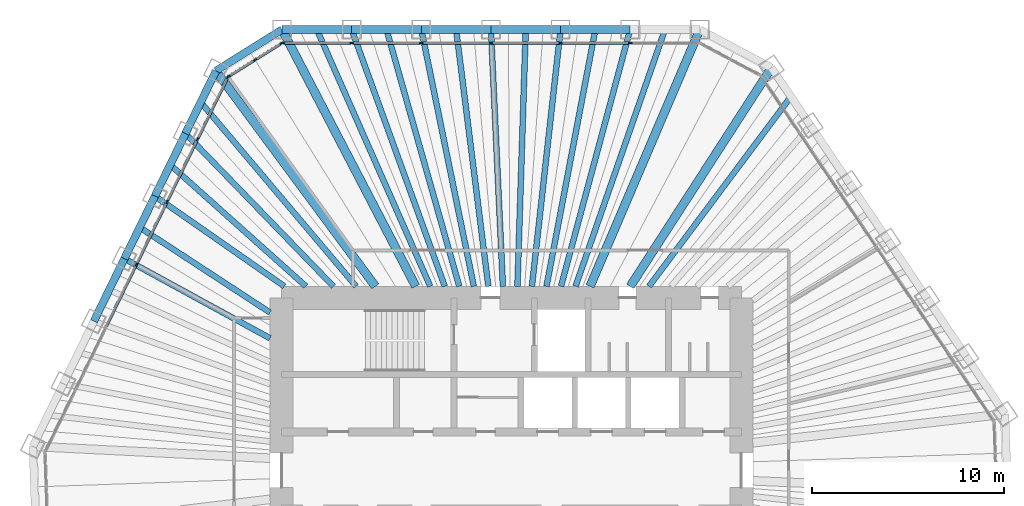
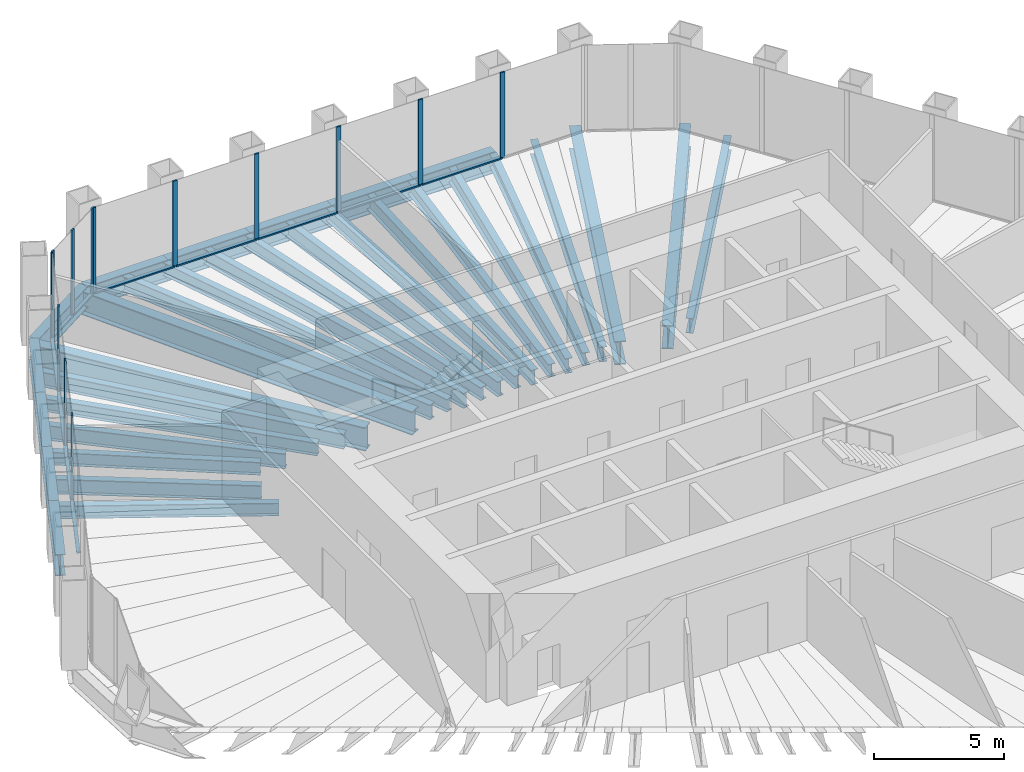
# One storey, part 6 of 13: 32 beams, 24 members, 3 elements without a shape of their own.
"""IFC4 building model written with IfcOpenShell, lengths in metres."""

from ifc_helpers import new_model, si_unit, direction, frame, origin, origin_2d, place, context, subcontext, project, spatial, rectangle, i_section, extrude, material, material_profile, profile_set, type_object, element, aggregate, save


model = new_model("IFC4")

# Units and contexts
model_context = context("Model", 3, precision=1e-05, world=origin(), true_north=direction((0.0, 1.0)))
body_context = subcontext(model_context, "Body", "Model", "MODEL_VIEW")
ifc_project = project(units=[si_unit("LENGTHUNIT", "METRE"), si_unit("AREAUNIT", "SQUARE_METRE"), si_unit("VOLUMEUNIT", "CUBIC_METRE"), si_unit("PLANEANGLEUNIT", "RADIAN"), si_unit("MASSUNIT", "GRAM", prefix="KILO")], contexts=[model_context])

# Site, building, storey
site_placement = place(None, origin())
site = spatial("IfcSite", under=ifc_project, at=site_placement, CompositionType="ELEMENT")
building_placement = place(site_placement, origin())
building = spatial("IfcBuilding", under=site, at=building_placement, Name="Qingtian Harvest Tower", CompositionType="ELEMENT")
storey_placement = place(building_placement, frame((0.0, 0.0, 226.60009765625)))
storey = spatial("IfcBuildingStorey", under=building, at=storey_placement, Name="L49", CompositionType="ELEMENT", Elevation=226.60009765625)

# Beams
ifc_material_1 = material(Name="Steel SM570MC", Category="steel")
ifc_material_profile_1 = material_profile(ifc_material_1, i_section(OverallWidth=0.449951171875, OverallDepth=1.10009765625, WebThickness=0.02197265625, FlangeThickness=0.044921875, at=origin_2d()), Name="H1100x450x22x45")
ifc_profile_set_1 = profile_set([ifc_material_profile_1], Name="Steel SM570MC")
beam_type_1 = type_object("IfcBeamType", Name="Corner floor beam FB8 H1100x450x22x45", PredefinedType="BEAM", material=ifc_profile_set_1)
beam_1_placement = place(storey_placement, frame((-11.971923828125, 23.0, -0.72021484375), z_axis=(0.461712460868, -0.887029651973, 0.0), x_axis=(0.887029651973, 0.461712460868, 0.0)))
element("IfcBeam", 1, at=beam_1_placement, inside=storey, type_object=beam_type_1, Name="Floor beam FB8 N0", PredefinedType="BEAM", context=body_context, shape_type="SweptSolid", body=[
    extrude(i_section(OverallWidth=0.449951171875, OverallDepth=1.10009765625, WebThickness=0.02197265625, FlangeThickness=0.044921875, at=origin_2d()), origin(), (0.0, 0.0, 1.0), 15.1064453125),
])
beam_2_placement = place(storey_placement, frame((9.829345703125, 23.0, -0.72021484375), z_axis=(-0.392976835482, -0.91954837109, 0.0), x_axis=(0.91954837109, -0.392976835482, 0.0)))
element("IfcBeam", 2, at=beam_2_placement, inside=storey, type_object=beam_type_1, Name="Floor beam FB8 N6", PredefinedType="BEAM", context=body_context, shape_type="SweptSolid", body=[
    extrude(i_section(OverallWidth=0.449951171875, OverallDepth=1.10009765625, WebThickness=0.02197265625, FlangeThickness=0.044921875, at=origin_2d()), origin(), (0.0, 0.0, 1.0), 14.572265625),
])
beam_3_placement = place(storey_placement, frame((13.5712890625, 21.01025390625, -0.72021484375), z_axis=(-0.542593072822, -0.839995688873, 0.0), x_axis=(0.839995688873, -0.542593072822, 0.0)))
element("IfcBeam", 3, at=beam_3_placement, inside=storey, type_object=beam_type_1, Name="Floor beam FB8 NE0", PredefinedType="BEAM", context=body_context, shape_type="SweptSolid", body=[
    extrude(i_section(OverallWidth=0.449951171875, OverallDepth=1.10009765625, WebThickness=0.02197265625, FlangeThickness=0.044921875, at=origin_2d()), origin(), (0.0, 0.0, 1.0), 13.58349609375),
])
beam_4_placement = place(storey_placement, frame((-15.424072265625, 20.8427734375, -0.72021484375), z_axis=(0.594854284538, -0.803833552526, 0.0), x_axis=(0.803833552526, 0.594854284538, 0.0)))
element("IfcBeam", 4, at=beam_4_placement, inside=storey, type_object=beam_type_1, Name="Floor beam FB8 NW6", PredefinedType="BEAM", context=body_context, shape_type="SweptSolid", body=[
    extrude(i_section(OverallWidth=0.449951171875, OverallDepth=1.10009765625, WebThickness=0.02197265625, FlangeThickness=0.044921875, at=origin_2d()), origin(), (0.0, 0.0, 1.0), 13.986328125),
])
ifc_material_2 = material(Name="Steel SN490B", Category="steel")
ifc_material_profile_2 = material_profile(ifc_material_2, i_section(OverallWidth=0.300048828125, OverallDepth=0.60009765625, WebThickness=0.011962890625, FlangeThickness=0.02001953125, at=origin_2d()), Name="H600x300x12x20")
ifc_profile_set_2 = profile_set([ifc_material_profile_2], Name="Steel SN490B")
beam_type_2 = type_object("IfcBeamType", Name="Floor beam FB3 H600x300x12x20", PredefinedType="BEAM", material=ifc_profile_set_2)
beam_5_placement = place(storey_placement, frame((-8.33837890625, 23.0, -0.47021484375), z_axis=(0.340826952705, -0.94012604916, 0.0), x_axis=(0.94012604916, 0.340826952705, 0.0)))
element("IfcBeam", 5, at=beam_5_placement, inside=storey, type_object=beam_type_2, Name="Floor beam FB3 N1", PredefinedType="BEAM", context=body_context, shape_type="SweptSolid", body=[
    extrude(i_section(OverallWidth=0.300048828125, OverallDepth=0.60009765625, WebThickness=0.011962890625, FlangeThickness=0.02001953125, at=origin_2d()), origin(), (0.0, 0.0, 1.0), 14.25341796875),
])
beam_6_placement = place(storey_placement, frame((-4.704833984375, 23.0, -0.47021484375), z_axis=(0.200401687601, -0.979713817197, 0.0), x_axis=(0.979713817197, 0.200401687601, 0.0)))
element("IfcBeam", 6, at=beam_6_placement, inside=storey, type_object=beam_type_2, Name="Floor beam FB3 N2", PredefinedType="BEAM", context=body_context, shape_type="SweptSolid", body=[
    extrude(i_section(OverallWidth=0.300048828125, OverallDepth=0.60009765625, WebThickness=0.011962890625, FlangeThickness=0.02001953125, at=origin_2d()), origin(), (0.0, 0.0, 1.0), 13.67724609375),
])
beam_7_placement = place(storey_placement, frame((-1.0712890625, 23.0, -0.47021484375), z_axis=(0.04651883736, -0.998917412888, 0.0), x_axis=(0.998917412888, 0.04651883736, 0.0)))
element("IfcBeam", 7, at=beam_7_placement, inside=storey, type_object=beam_type_2, Name="Floor beam FB3 N3", PredefinedType="BEAM", context=body_context, shape_type="SweptSolid", body=[
    extrude(i_section(OverallWidth=0.300048828125, OverallDepth=0.60009765625, WebThickness=0.011962890625, FlangeThickness=0.02001953125, at=origin_2d()), origin(), (0.0, 0.0, 1.0), 13.414306640625),
])
beam_8_placement = place(storey_placement, frame((2.562255859375, 23.0, -0.47021484375), z_axis=(-0.110727645803, -0.993850787822, 0.0), x_axis=(0.993850787822, -0.110727645803, 0.0)))
element("IfcBeam", 8, at=beam_8_placement, inside=storey, type_object=beam_type_2, Name="Floor beam FB3 N4", PredefinedType="BEAM", context=body_context, shape_type="SweptSolid", body=[
    extrude(i_section(OverallWidth=0.300048828125, OverallDepth=0.60009765625, WebThickness=0.011962890625, FlangeThickness=0.02001953125, at=origin_2d()), origin(), (0.0, 0.0, 1.0), 13.48291015625),
])
beam_9_placement = place(storey_placement, frame((6.19580078125, 23.0, -0.47021484375), z_axis=(-0.260121100906, -0.965576000563, 0.0), x_axis=(0.965576000563, -0.260121100906, 0.0)))
element("IfcBeam", 9, at=beam_9_placement, inside=storey, type_object=beam_type_2, Name="Floor beam FB3 N5", PredefinedType="BEAM", context=body_context, shape_type="SweptSolid", body=[
    extrude(i_section(OverallWidth=0.300048828125, OverallDepth=0.60009765625, WebThickness=0.011962890625, FlangeThickness=0.02001953125, at=origin_2d()), origin(), (0.0, 0.0, 1.0), 13.877685546875),
])
beam_10_placement = place(storey_placement, frame((-20.20263671875, 11.04541015625, -0.47021484375), z_axis=(0.87742673539, -0.479710666988, 0.0), x_axis=(0.479710666988, 0.87742673539, 0.0)))
element("IfcBeam", 10, at=beam_10_placement, inside=storey, type_object=beam_type_2, Name="Floor beam FB3 NW3", PredefinedType="BEAM", context=body_context, shape_type="SweptSolid", body=[
    extrude(i_section(OverallWidth=0.300048828125, OverallDepth=0.60009765625, WebThickness=0.011962890625, FlangeThickness=0.02001953125, at=origin_2d()), origin(), (0.0, 0.0, 1.0), 8.66455078125),
])
beam_11_placement = place(storey_placement, frame((-18.60986328125, 14.311279296875, -0.47021484375), z_axis=(0.820407854234, -0.571778762032, 0.0), x_axis=(0.571778762032, 0.820407854234, 0.0)))
element("IfcBeam", 11, at=beam_11_placement, inside=storey, type_object=beam_type_2, Name="Floor beam FB3 NW4", PredefinedType="BEAM", context=body_context, shape_type="SweptSolid", body=[
    extrude(i_section(OverallWidth=0.300048828125, OverallDepth=0.60009765625, WebThickness=0.011962890625, FlangeThickness=0.02001953125, at=origin_2d()), origin(), (0.0, 0.0, 1.0), 8.239501953125),
])
beam_12_placement = place(storey_placement, frame((-17.016845703125, 17.5771484375, -0.47021484375), z_axis=(0.695569024353, -0.718459276759, 0.0), x_axis=(0.718459276759, 0.695569024353, 0.0)))
element("IfcBeam", 12, at=beam_12_placement, inside=storey, type_object=beam_type_2, Name="Floor beam FB3 NW5", PredefinedType="BEAM", context=body_context, shape_type="SweptSolid", body=[
    extrude(i_section(OverallWidth=0.300048828125, OverallDepth=0.60009765625, WebThickness=0.011962890625, FlangeThickness=0.02001953125, at=origin_2d()), origin(), (0.0, 0.0, 1.0), 11.10302734375),
])
ifc_material_3 = material(Name="Steel SN490B", Category="steel")
ifc_material_profile_3 = material_profile(ifc_material_3, i_section(OverallWidth=0.300048828125, OverallDepth=0.699951171875, WebThickness=0.012939453125, FlangeThickness=0.02392578125, at=origin_2d()), Name="H700x300x13x24")
ifc_profile_set_3 = profile_set([ifc_material_profile_3], Name="Steel SN490B")
beam_type_3 = type_object("IfcBeamType", Name="Floor joist J2 H700x300x13x24", PredefinedType="JOIST", material=ifc_profile_set_3)
beam_13_placement = place(storey_placement, frame((-10.1552734375, 23.0, -0.52001953125), z_axis=(0.40391347792, -0.914797191925, 0.0), x_axis=(0.914797191925, 0.40391347792, 0.0)))
element("IfcBeam", 13, at=beam_13_placement, inside=storey, type_object=beam_type_3, Name="Floor joist J2 N0", PredefinedType="JOIST", context=body_context, shape_type="SweptSolid", body=[
    extrude(i_section(OverallWidth=0.300048828125, OverallDepth=0.699951171875, WebThickness=0.012939453125, FlangeThickness=0.02392578125, at=origin_2d()), origin(), (0.0, 0.0, 1.0), 14.64794921875),
])
beam_14_placement = place(storey_placement, frame((-6.521728515625, 23.0, -0.52001953125), z_axis=(0.272796737564, -0.962071691702, 0.0), x_axis=(0.962071691702, 0.272796737564, 0.0)))
element("IfcBeam", 14, at=beam_14_placement, inside=storey, type_object=beam_type_3, Name="Floor joist J2 N1", PredefinedType="JOIST", context=body_context, shape_type="SweptSolid", body=[
    extrude(i_section(OverallWidth=0.300048828125, OverallDepth=0.699951171875, WebThickness=0.012939453125, FlangeThickness=0.02392578125, at=origin_2d()), origin(), (0.0, 0.0, 1.0), 13.92822265625),
])
beam_15_placement = place(storey_placement, frame((-2.88818359375, 23.0, -0.52001953125), z_axis=(0.124590949529, -0.992208191508, 0.0), x_axis=(0.992208191508, 0.124590949529, 0.0)))
element("IfcBeam", 15, at=beam_15_placement, inside=storey, type_object=beam_type_3, Name="Floor joist J2 N2", PredefinedType="JOIST", context=body_context, shape_type="SweptSolid", body=[
    extrude(i_section(OverallWidth=0.300048828125, OverallDepth=0.699951171875, WebThickness=0.012939453125, FlangeThickness=0.02392578125, at=origin_2d()), origin(), (0.0, 0.0, 1.0), 13.505126953125),
])
beam_16_placement = place(storey_placement, frame((0.745361328125, 23.0, -0.52001953125), z_axis=(-0.032395624487, -0.99947512401, 0.0), x_axis=(0.99947512401, -0.032395624487, 0.0)))
element("IfcBeam", 16, at=beam_16_placement, inside=storey, type_object=beam_type_3, Name="Floor joist J2 N3", PredefinedType="JOIST", context=body_context, shape_type="SweptSolid", body=[
    extrude(i_section(OverallWidth=0.300048828125, OverallDepth=0.699951171875, WebThickness=0.012939453125, FlangeThickness=0.02392578125, at=origin_2d()), origin(), (0.0, 0.0, 1.0), 13.406982421875),
])
beam_17_placement = place(storey_placement, frame((4.37890625, 23.0, -0.52001953125), z_axis=(-0.187034797062, -0.982353289142, 0.0), x_axis=(0.982353289142, -0.187034797062, 0.0)))
element("IfcBeam", 17, at=beam_17_placement, inside=storey, type_object=beam_type_3, Name="Floor joist J2 N4", PredefinedType="JOIST", context=body_context, shape_type="SweptSolid", body=[
    extrude(i_section(OverallWidth=0.300048828125, OverallDepth=0.699951171875, WebThickness=0.012939453125, FlangeThickness=0.02392578125, at=origin_2d()), origin(), (0.0, 0.0, 1.0), 13.640625),
])
beam_18_placement = place(storey_placement, frame((8.012451171875, 23.0, -0.52001953125), z_axis=(-0.328969033283, -0.944340709247, 0.0), x_axis=(0.944340709247, -0.328969033283, 0.0)))
element("IfcBeam", 18, at=beam_18_placement, inside=storey, type_object=beam_type_3, Name="Floor joist J2 N5", PredefinedType="JOIST", context=body_context, shape_type="SweptSolid", body=[
    extrude(i_section(OverallWidth=0.300048828125, OverallDepth=0.699951171875, WebThickness=0.012939453125, FlangeThickness=0.02392578125, at=origin_2d()), origin(), (0.0, 0.0, 1.0), 14.189697265625),
])
beam_19_placement = place(storey_placement, frame((14.58740234375, 19.504150390625, -0.52001953125), z_axis=(-0.598935081494, -0.800797582511, 0.0), x_axis=(0.800797582511, -0.598935081494, 0.0)))
element("IfcBeam", 19, at=beam_19_placement, inside=storey, type_object=beam_type_3, Name="Floor joist J2 NE0", PredefinedType="JOIST", context=body_context, shape_type="SweptSolid", body=[
    extrude(i_section(OverallWidth=0.300048828125, OverallDepth=0.699951171875, WebThickness=0.012939453125, FlangeThickness=0.02392578125, at=origin_2d()), origin(), (0.0, 0.0, 1.0), 12.36767578125),
])
beam_20_placement = place(storey_placement, frame((-19.40625, 12.678466796875, -0.52001953125), z_axis=(0.837161066611, -0.546956441182, 0.0), x_axis=(0.546956441182, 0.837161066611, 0.0)))
element("IfcBeam", 20, at=beam_20_placement, inside=storey, type_object=beam_type_3, Name="Floor joist J2 NW3", PredefinedType="JOIST", context=body_context, shape_type="SweptSolid", body=[
    extrude(i_section(OverallWidth=0.300048828125, OverallDepth=0.699951171875, WebThickness=0.012939453125, FlangeThickness=0.02392578125, at=origin_2d()), origin(), (0.0, 0.0, 1.0), 8.130126953125),
])
beam_21_placement = place(storey_placement, frame((-17.813232421875, 15.944091796875, -0.52001953125), z_axis=(0.745126517589, -0.66692313859, 0.0), x_axis=(0.66692313859, 0.745126517589, 0.0)))
element("IfcBeam", 21, at=beam_21_placement, inside=storey, type_object=beam_type_3, Name="Floor joist J2 NW4", PredefinedType="JOIST", context=body_context, shape_type="SweptSolid", body=[
    extrude(i_section(OverallWidth=0.300048828125, OverallDepth=0.699951171875, WebThickness=0.012939453125, FlangeThickness=0.02392578125, at=origin_2d()), origin(), (0.0, 0.0, 1.0), 9.512451171875),
])
beam_22_placement = place(storey_placement, frame((-16.220458984375, 19.2099609375, -0.52001953125), z_axis=(0.645157903911, -0.764049264787, 0.0), x_axis=(0.764049264787, 0.645157903911, 0.0)))
element("IfcBeam", 22, at=beam_22_placement, inside=storey, type_object=beam_type_3, Name="Floor joist J2 NW5", PredefinedType="JOIST", context=body_context, shape_type="SweptSolid", body=[
    extrude(i_section(OverallWidth=0.300048828125, OverallDepth=0.699951171875, WebThickness=0.012939453125, FlangeThickness=0.02392578125, at=origin_2d()), origin(), (0.0, 0.0, 1.0), 12.57763671875),
])

# Curtain wall, members
ifc_material_4 = material(Name="Bronze-anodised aluminium curtain wall", Category="aluminium")
curtain_wall_type = type_object("IfcCurtainWallType", Name="Curtain wall CW4 office", PredefinedType="USERDEFINED", material=ifc_material_4)
curtain_wall_1_placement = place(storey_placement, origin())
curtain_wall_1 = element("IfcCurtainWall", 23, at=curtain_wall_1_placement, inside=storey, type_object=curtain_wall_type, Name="Curtain wall CW4 L49 N0-5", ObjectType="RECESSED CURTAIN WALL", PredefinedType="USERDEFINED")
ifc_material_5 = material(Name="Bronze-anodised aluminium mullion", Category="aluminium")
ifc_material_profile_4 = material_profile(ifc_material_5, rectangle(XDim=0.06494140625, YDim=0.199951171875, at=origin_2d()), Name="AL 65x200")
ifc_profile_set_4 = profile_set([ifc_material_profile_4], Name="Bronze-anodised aluminium mullion")
member_type_1 = type_object("IfcMemberType", Name="Mullion CWM 65x200", PredefinedType="MULLION", material=ifc_profile_set_4)
member_1_placement = place(storey_placement, frame((-11.939453125, 22.300048828125, 0.0), z_axis=(0.0, 0.0, 1.0), x_axis=(0.0, 1.0, 0.0)))
member_1 = element("IfcMember", 24, at=member_1_placement, type_object=member_type_1, Name="CW4 mullion 1", PredefinedType="MULLION", context=body_context, shape_type="SweptSolid", body=[
    extrude(rectangle(XDim=0.06494140625, YDim=0.199951171875, at=origin_2d()), origin(), (0.0, 0.0, 1.0), 4.02978515625),
])
member_2_placement = place(storey_placement, frame((-8.33837890625, 22.300048828125, 0.0), z_axis=(0.0, 0.0, 1.0), x_axis=(0.0, 1.0, 0.0)))
member_2 = element("IfcMember", 25, at=member_2_placement, type_object=member_type_1, Name="CW4 mullion 2", PredefinedType="MULLION", context=body_context, shape_type="SweptSolid", body=[
    extrude(rectangle(XDim=0.06494140625, YDim=0.199951171875, at=origin_2d()), origin(), (0.0, 0.0, 1.0), 4.02978515625),
])
member_3_placement = place(storey_placement, frame((-4.704833984375, 22.300048828125, 0.0), z_axis=(0.0, 0.0, 1.0), x_axis=(0.0, 1.0, 0.0)))
member_3 = element("IfcMember", 26, at=member_3_placement, type_object=member_type_1, Name="CW4 mullion 3", PredefinedType="MULLION", context=body_context, shape_type="SweptSolid", body=[
    extrude(rectangle(XDim=0.06494140625, YDim=0.199951171875, at=origin_2d()), origin(), (0.0, 0.0, 1.0), 4.02978515625),
])
member_4_placement = place(storey_placement, frame((-1.0712890625, 22.300048828125, 0.0), z_axis=(0.0, 0.0, 1.0), x_axis=(0.0, 1.0, 0.0)))
member_4 = element("IfcMember", 27, at=member_4_placement, type_object=member_type_1, Name="CW4 mullion 4", PredefinedType="MULLION", context=body_context, shape_type="SweptSolid", body=[
    extrude(rectangle(XDim=0.06494140625, YDim=0.199951171875, at=origin_2d()), origin(), (0.0, 0.0, 1.0), 4.02978515625),
])
member_5_placement = place(storey_placement, frame((2.562255859375, 22.300048828125, 0.0), z_axis=(0.0, 0.0, 1.0), x_axis=(0.0, 1.0, 0.0)))
member_5 = element("IfcMember", 28, at=member_5_placement, type_object=member_type_1, Name="CW4 mullion 5", PredefinedType="MULLION", context=body_context, shape_type="SweptSolid", body=[
    extrude(rectangle(XDim=0.06494140625, YDim=0.199951171875, at=origin_2d()), origin(), (0.0, 0.0, 1.0), 4.02978515625),
])
member_6_placement = place(storey_placement, frame((6.19580078125, 22.300048828125, 0.0), z_axis=(0.0, 0.0, 1.0), x_axis=(0.0, 1.0, 0.0)))
member_6 = element("IfcMember", 29, at=member_6_placement, type_object=member_type_1, Name="CW4 mullion 6", PredefinedType="MULLION", context=body_context, shape_type="SweptSolid", body=[
    extrude(rectangle(XDim=0.06494140625, YDim=0.199951171875, at=origin_2d()), origin(), (0.0, 0.0, 1.0), 4.02978515625),
])

curtain_wall_2_placement = place(storey_placement, origin())
curtain_wall_2 = element("IfcCurtainWall", 30, at=curtain_wall_2_placement, inside=storey, type_object=curtain_wall_type, Name="Curtain wall CW4 L49 NW0-5", ObjectType="RECESSED CURTAIN WALL", PredefinedType="USERDEFINED")
member_7_placement = place(storey_placement, frame((-19.573486328125, 10.738525390625, 0.0), z_axis=(0.0, 0.0, 1.0), x_axis=(-0.898794046299, 0.438371146789, 0.0)))
member_7 = element("IfcMember", 31, at=member_7_placement, type_object=member_type_1, Name="CW4 mullion 4", PredefinedType="MULLION", context=body_context, shape_type="SweptSolid", body=[
    extrude(rectangle(XDim=0.06494140625, YDim=0.199951171875, at=origin_2d()), origin(), (0.0, 0.0, 1.0), 4.02978515625),
])
member_8_placement = place(storey_placement, frame((-17.980712890625, 14.00439453125, 0.0), z_axis=(0.0, 0.0, 1.0), x_axis=(-0.898794046299, 0.438371146789, 0.0)))
member_8 = element("IfcMember", 32, at=member_8_placement, type_object=member_type_1, Name="CW4 mullion 5", PredefinedType="MULLION", context=body_context, shape_type="SweptSolid", body=[
    extrude(rectangle(XDim=0.06494140625, YDim=0.199951171875, at=origin_2d()), origin(), (0.0, 0.0, 1.0), 4.02978515625),
])
member_9_placement = place(storey_placement, frame((-16.3876953125, 17.270263671875, 0.0), z_axis=(0.0, 0.0, 1.0), x_axis=(-0.898794046299, 0.438371146789, 0.0)))
member_9 = element("IfcMember", 33, at=member_9_placement, type_object=member_type_1, Name="CW4 mullion 6", PredefinedType="MULLION", context=body_context, shape_type="SweptSolid", body=[
    extrude(rectangle(XDim=0.06494140625, YDim=0.199951171875, at=origin_2d()), origin(), (0.0, 0.0, 1.0), 4.02978515625),
])
member_10_placement = place(storey_placement, frame((-14.80908203125, 20.5068359375, 0.0), z_axis=(0.0, 0.0, 1.0), x_axis=(-0.898794046299, 0.438371146789, 0.0)))
member_10 = element("IfcMember", 34, at=member_10_placement, type_object=member_type_1, Name="CW4 mullion 7", PredefinedType="MULLION", context=body_context, shape_type="SweptSolid", body=[
    extrude(rectangle(XDim=0.06494140625, YDim=0.199951171875, at=origin_2d()), origin(), (0.0, 0.0, 1.0), 4.02978515625),
])

curtain_wall_3_placement = place(storey_placement, origin())
curtain_wall_3 = element("IfcCurtainWall", 35, at=curtain_wall_3_placement, inside=storey, type_object=curtain_wall_type, Name="Curtain wall CW4 L49 NWC", ObjectType="RECESSED CURTAIN WALL", PredefinedType="USERDEFINED")
member_11_placement = place(storey_placement, frame((-14.767333984375, 20.55322265625, 0.0), z_axis=(0.0, 0.0, 1.0), x_axis=(-0.529919264233, 0.848048096156, 0.0)))
member_11 = element("IfcMember", 36, at=member_11_placement, type_object=member_type_1, Name="CW4 mullion 1", PredefinedType="MULLION", context=body_context, shape_type="SweptSolid", body=[
    extrude(rectangle(XDim=0.06494140625, YDim=0.199951171875, at=origin_2d()), origin(), (0.0, 0.0, 1.0), 4.02978515625),
])
member_12_placement = place(storey_placement, frame((-13.383544921875, 21.41796875, 0.0), z_axis=(0.0, 0.0, 1.0), x_axis=(-0.529919264233, 0.848048096156, 0.0)))
member_12 = element("IfcMember", 37, at=member_12_placement, type_object=member_type_1, Name="CW4 mullion 2", PredefinedType="MULLION", context=body_context, shape_type="SweptSolid", body=[
    extrude(rectangle(XDim=0.06494140625, YDim=0.199951171875, at=origin_2d()), origin(), (0.0, 0.0, 1.0), 4.02978515625),
])
member_13_placement = place(storey_placement, frame((-11.99951171875, 22.28271484375, 0.0), z_axis=(0.0, 0.0, 1.0), x_axis=(-0.529919264233, 0.848048096156, 0.0)))
member_13 = element("IfcMember", 38, at=member_13_placement, type_object=member_type_1, Name="CW4 mullion 3", PredefinedType="MULLION", context=body_context, shape_type="SweptSolid", body=[
    extrude(rectangle(XDim=0.06494140625, YDim=0.199951171875, at=origin_2d()), origin(), (0.0, 0.0, 1.0), 4.02978515625),
])

# Beams
ifc_material_6 = material(Name="Steel SN490B", Category="steel")
ifc_material_profile_5 = material_profile(ifc_material_6, i_section(OverallWidth=0.39990234375, OverallDepth=1.0, WebThickness=0.01904296875, FlangeThickness=0.035888671875, at=origin_2d()), Name="H1000x400x19x36")
ifc_profile_set_5 = profile_set([ifc_material_profile_5], Name="Steel SN490B")
beam_type_4 = type_object("IfcBeamType", Name="Spandrel beam SB3 H1000x400x19x36", PredefinedType="SPANDREL", material=ifc_profile_set_5)
for number, where, z_axis, x_axis, name in (
    (39, (-11.971923828125, 23.0, -0.5), (1.0, 0.0, 0.0), (0.0, 1.0, 0.0), "Spandrel SB3 N0"),
    (40, (-8.33837890625, 23.0, -0.5), (1.0, 0.0, 0.0), (0.0, 1.0, 0.0), "Spandrel SB3 N1"),
    (41, (-4.704833984375, 23.0, -0.5), (1.0, 0.0, 0.0), (0.0, 1.0, 0.0), "Spandrel SB3 N2"),
    (42, (-1.0712890625, 23.0, -0.5), (1.0, 0.0, 0.0), (0.0, 1.0, 0.0), "Spandrel SB3 N3"),
    (43, (2.562255859375, 23.0, -0.5), (1.0, 0.0, 0.0), (0.0, 1.0, 0.0), "Spandrel SB3 N4"),
    (44, (-21.79541015625, 7.779541015625, -0.5), (0.438349498419, 0.898804604592, 0.0), (-0.898804604592, 0.438349498419, 0.0), "Spandrel SB3 NW2"),
    (45, (-20.20263671875, 11.04541015625, -0.5), (0.438349498419, 0.898804604592, 0.0), (-0.898804604592, 0.438349498419, 0.0), "Spandrel SB3 NW3"),
):
    element("IfcBeam", number, at=place(storey_placement, frame(where, z_axis=z_axis, x_axis=x_axis)), inside=storey, type_object=beam_type_4, Name=name, PredefinedType="SPANDREL", context=body_context, shape_type="SweptSolid", body=[
        extrude(i_section(OverallWidth=0.39990234375, OverallDepth=1.0, WebThickness=0.01904296875, FlangeThickness=0.035888671875, at=origin_2d()), origin(), (0.0, 0.0, 1.0), 3.633544921875),
    ])
beam_23_placement = place(storey_placement, frame((-18.60986328125, 14.311279296875, -0.5), z_axis=(0.438403775684, 0.898778131391, 0.0), x_axis=(-0.898778131391, 0.438403775684, 0.0)))
element("IfcBeam", 46, at=beam_23_placement, inside=storey, type_object=beam_type_4, Name="Spandrel SB3 NW4", PredefinedType="SPANDREL", context=body_context, shape_type="SweptSolid", body=[
    extrude(i_section(OverallWidth=0.39990234375, OverallDepth=1.0, WebThickness=0.01904296875, FlangeThickness=0.035888671875, at=origin_2d()), origin(), (0.0, 0.0, 1.0), 3.6337890625),
])
beam_24_placement = place(storey_placement, frame((-17.016845703125, 17.5771484375, -0.5), z_axis=(0.43837597217, 0.898791692788, 0.0), x_axis=(-0.898791692788, 0.43837597217, 0.0)))
element("IfcBeam", 47, at=beam_24_placement, inside=storey, type_object=beam_type_4, Name="Spandrel SB3 NW5", PredefinedType="SPANDREL", context=body_context, shape_type="SweptSolid", body=[
    extrude(i_section(OverallWidth=0.39990234375, OverallDepth=1.0, WebThickness=0.01904296875, FlangeThickness=0.035888671875, at=origin_2d()), origin(), (0.0, 0.0, 1.0), 3.63330078125),
])
beam_25_placement = place(storey_placement, frame((-15.424072265625, 20.8427734375, -0.5), z_axis=(0.848038733752, 0.529934246919, 0.0), x_axis=(-0.529934246919, 0.848038733752, 0.0)))
element("IfcBeam", 48, at=beam_25_placement, inside=storey, type_object=beam_type_4, Name="Spandrel SB3 NWC", PredefinedType="SPANDREL", context=body_context, shape_type="SweptSolid", body=[
    extrude(i_section(OverallWidth=0.39990234375, OverallDepth=1.0, WebThickness=0.01904296875, FlangeThickness=0.035888671875, at=origin_2d()), origin(), (0.0, 0.0, 1.0), 4.07080078125),
])

# Member
ifc_material_7 = material(Name="Bronze-anodised aluminium transom", Category="aluminium")
ifc_material_profile_6 = material_profile(ifc_material_7, rectangle(XDim=0.14990234375, YDim=0.06494140625, at=origin_2d()), Name="AL 65x150")
ifc_profile_set_6 = profile_set([ifc_material_profile_6], Name="Bronze-anodised aluminium transom")
member_type_2 = type_object("IfcMemberType", Name="Transom CWT 65x150", PredefinedType="USERDEFINED", material=ifc_profile_set_6)
member_14_placement = place(storey_placement, frame((-11.906982421875, 22.300048828125, 0.032470703125), z_axis=(1.0, 0.0, 0.0), x_axis=(0.0, 1.0, 0.0)))
member_14 = element("IfcMember", 49, at=member_14_placement, type_object=member_type_2, Name="CW4 transom 1.1", ObjectType="TRANSOM", PredefinedType="USERDEFINED", context=body_context, shape_type="SweptSolid", body=[
    extrude(rectangle(XDim=0.14990234375, YDim=0.06494140625, at=origin_2d()), origin(), (0.0, 0.0, 1.0), 3.5361328125),
])

member_15_placement = place(storey_placement, frame((-8.305908203125, 22.300048828125, 0.032470703125), z_axis=(1.0, 0.0, 0.0), x_axis=(0.0, 1.0, 0.0)))
member_15 = element("IfcMember", 50, at=member_15_placement, type_object=member_type_2, Name="CW4 transom 2.1", ObjectType="TRANSOM", PredefinedType="USERDEFINED", context=body_context, shape_type="SweptSolid", body=[
    extrude(rectangle(XDim=0.14990234375, YDim=0.06494140625, at=origin_2d()), origin(), (0.0, 0.0, 1.0), 3.568603515625),
])

member_16_placement = place(storey_placement, frame((-4.67236328125, 22.300048828125, 0.032470703125), z_axis=(1.0, 0.0, 0.0), x_axis=(0.0, 1.0, 0.0)))
member_16 = element("IfcMember", 51, at=member_16_placement, type_object=member_type_2, Name="CW4 transom 3.1", ObjectType="TRANSOM", PredefinedType="USERDEFINED", context=body_context, shape_type="SweptSolid", body=[
    extrude(rectangle(XDim=0.14990234375, YDim=0.06494140625, at=origin_2d()), origin(), (0.0, 0.0, 1.0), 3.568603515625),
])

member_17_placement = place(storey_placement, frame((-1.038818359375, 22.300048828125, 0.032470703125), z_axis=(1.0, 0.0, 0.0), x_axis=(0.0, 1.0, 0.0)))
member_17 = element("IfcMember", 52, at=member_17_placement, type_object=member_type_2, Name="CW4 transom 4.1", ObjectType="TRANSOM", PredefinedType="USERDEFINED", context=body_context, shape_type="SweptSolid", body=[
    extrude(rectangle(XDim=0.14990234375, YDim=0.06494140625, at=origin_2d()), origin(), (0.0, 0.0, 1.0), 3.568603515625),
])

member_18_placement = place(storey_placement, frame((2.5947265625, 22.300048828125, 0.032470703125), z_axis=(1.0, 0.0, 0.0), x_axis=(0.0, 1.0, 0.0)))
member_18 = element("IfcMember", 53, at=member_18_placement, type_object=member_type_2, Name="CW4 transom 5.1", ObjectType="TRANSOM", PredefinedType="USERDEFINED", context=body_context, shape_type="SweptSolid", body=[
    extrude(rectangle(XDim=0.14990234375, YDim=0.06494140625, at=origin_2d()), origin(), (0.0, 0.0, 1.0), 3.568603515625),
])

aggregate(curtain_wall_1, [member_1, member_2, member_3, member_4, member_5, member_6, member_14, member_15, member_16, member_17, member_18])

member_19_placement = place(storey_placement, frame((-21.152099609375, 7.501953125, 0.032470703125), z_axis=(0.438380500422, 0.898789484167, 0.0), x_axis=(-0.898789484167, 0.438380500422, 0.0)))
member_19 = element("IfcMember", 54, at=member_19_placement, type_object=member_type_2, Name="CW4 transom 3.1", ObjectType="TRANSOM", PredefinedType="USERDEFINED", context=body_context, shape_type="SweptSolid", body=[
    extrude(rectangle(XDim=0.14990234375, YDim=0.06494140625, at=origin_2d()), origin(), (0.0, 0.0, 1.0), 3.568603515625),
])

member_20_placement = place(storey_placement, frame((-19.559326171875, 10.767822265625, 0.032470703125), z_axis=(0.438407456795, 0.898776335818, 0.0), x_axis=(-0.898776335818, 0.438407456795, 0.0)))
member_20 = element("IfcMember", 55, at=member_20_placement, type_object=member_type_2, Name="CW4 transom 4.1", ObjectType="TRANSOM", PredefinedType="USERDEFINED", context=body_context, shape_type="SweptSolid", body=[
    extrude(rectangle(XDim=0.14990234375, YDim=0.06494140625, at=origin_2d()), origin(), (0.0, 0.0, 1.0), 3.568603515625),
])

member_21_placement = place(storey_placement, frame((-17.96630859375, 14.03369140625, 0.032470703125), z_axis=(0.438352188226, 0.898803292761, 0.0), x_axis=(-0.898803292761, 0.438352188226, 0.0)))
member_21 = element("IfcMember", 56, at=member_21_placement, type_object=member_type_2, Name="CW4 transom 5.1", ObjectType="TRANSOM", PredefinedType="USERDEFINED", context=body_context, shape_type="SweptSolid", body=[
    extrude(rectangle(XDim=0.14990234375, YDim=0.06494140625, at=origin_2d()), origin(), (0.0, 0.0, 1.0), 3.568359375),
])

member_22_placement = place(storey_placement, frame((-16.37353515625, 17.29931640625, 0.032470703125), z_axis=(0.438354255898, 0.898802284341, 0.0), x_axis=(-0.898802284341, 0.438354255898, 0.0)))
member_22 = element("IfcMember", 57, at=member_22_placement, type_object=member_type_2, Name="CW4 transom 6.1", ObjectType="TRANSOM", PredefinedType="USERDEFINED", context=body_context, shape_type="SweptSolid", body=[
    extrude(rectangle(XDim=0.14990234375, YDim=0.06494140625, at=origin_2d()), origin(), (0.0, 0.0, 1.0), 3.5361328125),
])

aggregate(curtain_wall_2, [member_7, member_8, member_9, member_10, member_19, member_20, member_21, member_22])

member_23_placement = place(storey_placement, frame((-14.73974609375, 20.570556640625, 0.032470703125), z_axis=(0.848015812303, 0.529970925697, 0.0), x_axis=(-0.529970925697, 0.848015812303, 0.0)))
member_23 = element("IfcMember", 58, at=member_23_placement, type_object=member_type_2, Name="CW4 transom 1.1", ObjectType="TRANSOM", PredefinedType="USERDEFINED", context=body_context, shape_type="SweptSolid", body=[
    extrude(rectangle(XDim=0.14990234375, YDim=0.06494140625, at=origin_2d()), origin(), (0.0, 0.0, 1.0), 1.566650390625),
])

member_24_placement = place(storey_placement, frame((-13.35595703125, 21.435302734375, 0.032470703125), z_axis=(0.848059570903, 0.529900900357, 0.0), x_axis=(-0.529900900357, 0.848059570903, 0.0)))
member_24 = element("IfcMember", 59, at=member_24_placement, type_object=member_type_2, Name="CW4 transom 2.1", ObjectType="TRANSOM", PredefinedType="USERDEFINED", context=body_context, shape_type="SweptSolid", body=[
    extrude(rectangle(XDim=0.14990234375, YDim=0.06494140625, at=origin_2d()), origin(), (0.0, 0.0, 1.0), 1.56689453125),
])

aggregate(curtain_wall_3, [member_11, member_12, member_13, member_23, member_24])

save(model, "model.ifc")
